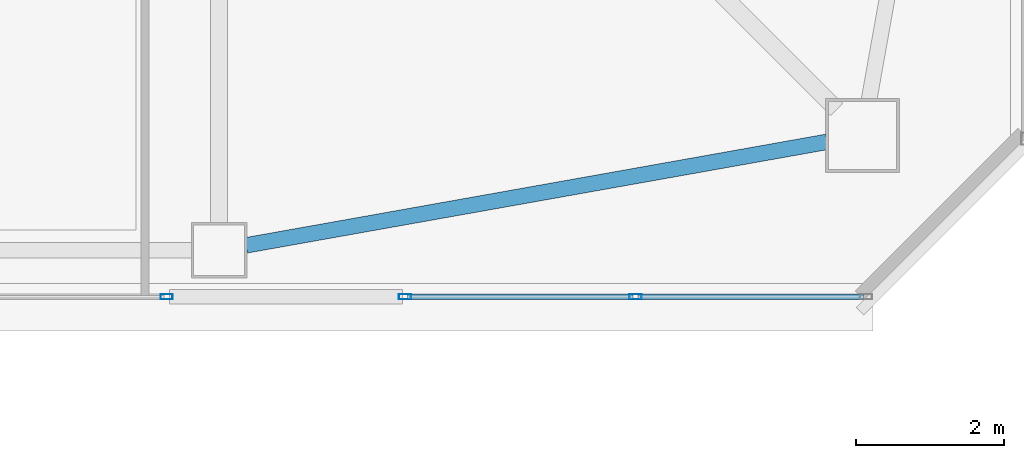
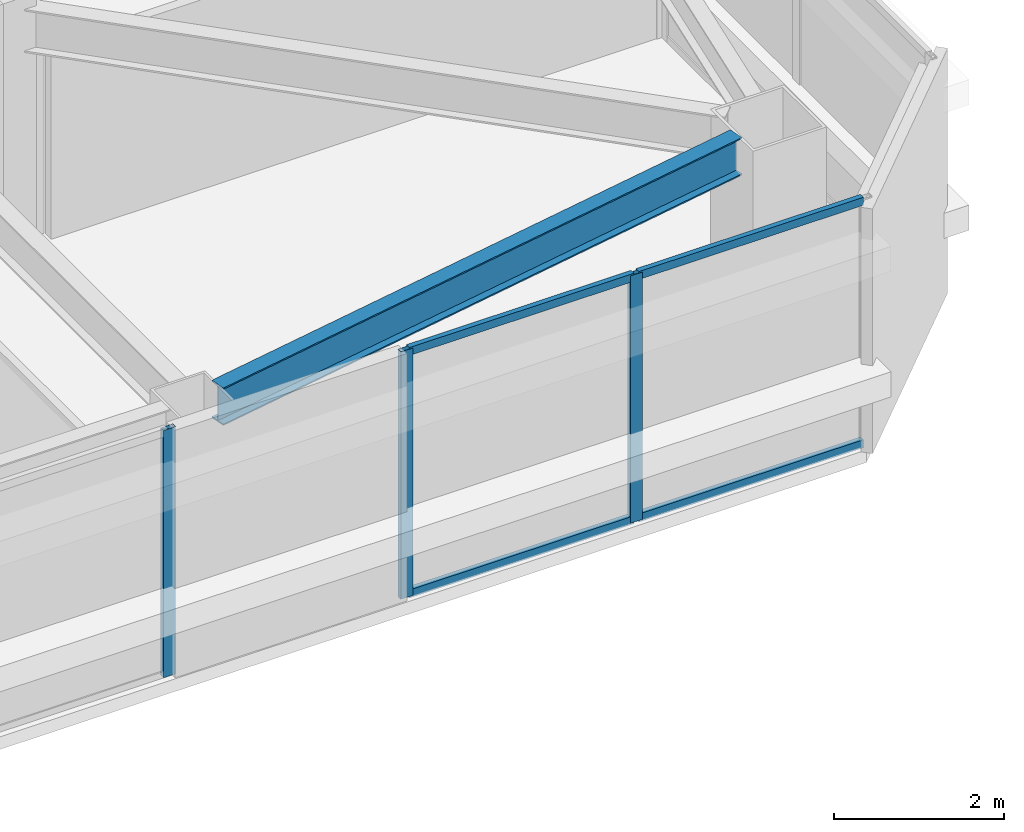
# One storey, part 5 of 39: 7 members, 1 beam, 2 elements without a shape of their own.
"""IFC4 building model written with IfcOpenShell, lengths in metres."""

from ifc_helpers import new_model, si_unit, direction, frame, origin, origin_2d, place, context, subcontext, project, spatial, hollow_rectangle, i_section, extrude, material, material_profile, profile_set, type_object, element, aggregate, save


model = new_model("IFC4")

# Units and contexts
model_context = context("Model", 3, precision=1e-05, world=origin(), true_north=direction((0.0, 1.0)))
body_context = subcontext(model_context, "Body", "Model", "MODEL_VIEW")
ifc_project = project(units=[si_unit("LENGTHUNIT", "METRE"), si_unit("AREAUNIT", "SQUARE_METRE"), si_unit("VOLUMEUNIT", "CUBIC_METRE"), si_unit("PLANEANGLEUNIT", "RADIAN"), si_unit("MASSUNIT", "GRAM", prefix="KILO")], contexts=[model_context])

# Site, building, storey
site_placement = place(None, origin())
site = spatial("IfcSite", under=ifc_project, at=site_placement, CompositionType="ELEMENT")
building_placement = place(site_placement, origin())
building = spatial("IfcBuilding", under=site, at=building_placement, Name="Tashvorn Skyway Center", CompositionType="ELEMENT")
storey_placement = place(building_placement, frame((0.0, 0.0, 214.85009765625)))
storey = spatial("IfcBuildingStorey", under=building, at=storey_placement, Name="L58", CompositionType="ELEMENT", Elevation=214.85009765625)

# Beam
ifc_material_1 = material(Name="Steel ASTM A992 Grade 50", Category="steel")
ifc_material_profile_1 = material_profile(ifc_material_1, i_section(OverallWidth=0.2109375, OverallDepth=0.5390625, WebThickness=0.01171875, FlangeThickness=0.018798828125, at=origin_2d()), Name="W21X73")
ifc_profile_set_1 = profile_set([ifc_material_profile_1], Name="Steel ASTM A992 Grade 50")
beam_type = type_object("IfcBeamType", Name="BM-SPANDREL-W21X73", PredefinedType="SPANDREL", material=ifc_profile_set_1)
beam_placement = place(storey_placement, frame((47.76416015625, 16.414794921875, 3.100341796875), z_axis=(0.984494883191, 0.17541329759, 0.0), x_axis=(-0.17541329759, 0.984494883191, 0.0)))
element("IfcBeam", 1, at=beam_placement, inside=storey, type_object=beam_type, Name="Tower 1 L58 Spandrel Beam 03", PredefinedType="SPANDREL", context=body_context, shape_type="SweptSolid", body=[
    extrude(i_section(OverallWidth=0.2109375, OverallDepth=0.5390625, WebThickness=0.01171875, FlangeThickness=0.018798828125, at=origin_2d()), origin(), (0.0, 0.0, 1.0), 7.97216796875),
])

# Curtain wall, members
ifc_material_2 = material(Name="Thermally broken bronze-anodized aluminium 6063-T6", Category="aluminium")
curtain_wall_type = type_object("IfcCurtainWallType", Name="CW-CW-Z5", PredefinedType="NOTDEFINED", material=ifc_material_2)
curtain_wall_1_placement = place(storey_placement, origin())
curtain_wall_1 = element("IfcCurtainWall", 2, at=curtain_wall_1_placement, inside=storey, type_object=curtain_wall_type, Name="Tower 1 L58 South Unitised Curtain Wall Glazing Group 1", PredefinedType="NOTDEFINED")
ifc_material_profile_2 = material_profile(ifc_material_2, hollow_rectangle(XDim=0.070068359375, YDim=0.1650390625, WallThickness=0.00390625, at=origin_2d()), Name="ALU-MULL-70x165")
ifc_profile_set_2 = profile_set([ifc_material_profile_2], Name="Thermally broken bronze-anodized aluminium 6063-T6")
member_type_1 = type_object("IfcMemberType", Name="CWM-CW-Z5", PredefinedType="MULLION", material=ifc_profile_set_2)
member_1_placement = place(storey_placement, frame((53.02880859375, 15.719970703125, 0.0), z_axis=(0.0, 0.0, 1.0), x_axis=(0.0, -1.0, 0.0)))
member_1 = element("IfcMember", 3, at=member_1_placement, type_object=member_type_1, Name="CW-Z5 mullion 2", PredefinedType="MULLION", context=body_context, shape_type="SweptSolid", body=[
    extrude(hollow_rectangle(XDim=0.070068359375, YDim=0.1650390625, WallThickness=0.00390625, at=origin_2d()), origin(), (0.0, 0.0, 1.0), 3.5498046875),
])
member_2_placement = place(storey_placement, frame((49.912841796875, 15.719970703125, 0.0), z_axis=(0.0, 0.0, 1.0), x_axis=(0.0, -1.0, 0.0)))
member_2 = element("IfcMember", 4, at=member_2_placement, type_object=member_type_1, Name="CW-Z5 mullion 3", PredefinedType="MULLION", context=body_context, shape_type="SweptSolid", body=[
    extrude(hollow_rectangle(XDim=0.070068359375, YDim=0.1650390625, WallThickness=0.00390625, at=origin_2d()), origin(), (0.0, 0.0, 1.0), 3.5498046875),
])

# Curtain wall, member
curtain_wall_2_placement = place(storey_placement, origin())
curtain_wall_2 = element("IfcCurtainWall", 5, at=curtain_wall_2_placement, inside=storey, type_object=curtain_wall_type, Name="Tower 1 L58 South Unitised Curtain Wall Glazing Group 2", PredefinedType="NOTDEFINED")
member_3_placement = place(storey_placement, frame((46.691650390625, 15.719970703125, 0.0), z_axis=(0.0, 0.0, 1.0), x_axis=(0.0, -1.0, 0.0)))
member_3 = element("IfcMember", 6, at=member_3_placement, type_object=member_type_1, Name="CW-Z5 mullion 1", PredefinedType="MULLION", context=body_context, shape_type="SweptSolid", body=[
    extrude(hollow_rectangle(XDim=0.070068359375, YDim=0.1650390625, WallThickness=0.00390625, at=origin_2d()), origin(), (0.0, 0.0, 1.0), 3.5498046875),
])
aggregate(curtain_wall_2, [member_3])

# Member
ifc_material_profile_3 = material_profile(ifc_material_2, hollow_rectangle(XDim=0.070068359375, YDim=0.114990234375, WallThickness=0.00390625, at=origin_2d()), Name="ALU-TRAN-70x115")
ifc_profile_set_3 = profile_set([ifc_material_profile_3], Name="Thermally broken bronze-anodized aluminium 6063-T6")
member_type_2 = type_object("IfcMemberType", Name="CWT-CW-Z5", PredefinedType="USERDEFINED", material=ifc_profile_set_3)
member_4_placement = place(storey_placement, frame((56.110107421875, 15.719970703125, 0.034912109375), z_axis=(-1.0, 0.0, 0.0), x_axis=(0.0, -1.0, 0.0)))
member_4 = element("IfcMember", 7, at=member_4_placement, type_object=member_type_2, Name="CW-Z5 transom 1.1", ObjectType="TRANSOM", PredefinedType="USERDEFINED", context=body_context, shape_type="SweptSolid", body=[
    extrude(hollow_rectangle(XDim=0.070068359375, YDim=0.114990234375, WallThickness=0.00390625, at=origin_2d()), origin(), (0.0, 0.0, 1.0), 3.046142578125),
])

member_5_placement = place(storey_placement, frame((56.110107421875, 15.719970703125, 3.514892578125), z_axis=(-1.0, 0.0, 0.0), x_axis=(0.0, -1.0, 0.0)))
member_5 = element("IfcMember", 8, at=member_5_placement, type_object=member_type_2, Name="CW-Z5 transom 1.2", ObjectType="TRANSOM", PredefinedType="USERDEFINED", context=body_context, shape_type="SweptSolid", body=[
    extrude(hollow_rectangle(XDim=0.070068359375, YDim=0.114990234375, WallThickness=0.00390625, at=origin_2d()), origin(), (0.0, 0.0, 1.0), 3.046142578125),
])

member_6_placement = place(storey_placement, frame((52.993896484375, 15.719970703125, 0.034912109375), z_axis=(-1.0, 0.0, 0.0), x_axis=(0.0, -1.0, 0.0)))
member_6 = element("IfcMember", 9, at=member_6_placement, type_object=member_type_2, Name="CW-Z5 transom 2.1", ObjectType="TRANSOM", PredefinedType="USERDEFINED", context=body_context, shape_type="SweptSolid", body=[
    extrude(hollow_rectangle(XDim=0.070068359375, YDim=0.114990234375, WallThickness=0.00390625, at=origin_2d()), origin(), (0.0, 0.0, 1.0), 3.046142578125),
])

member_7_placement = place(storey_placement, frame((52.993896484375, 15.719970703125, 3.514892578125), z_axis=(-1.0, 0.0, 0.0), x_axis=(0.0, -1.0, 0.0)))
member_7 = element("IfcMember", 10, at=member_7_placement, type_object=member_type_2, Name="CW-Z5 transom 2.2", ObjectType="TRANSOM", PredefinedType="USERDEFINED", context=body_context, shape_type="SweptSolid", body=[
    extrude(hollow_rectangle(XDim=0.070068359375, YDim=0.114990234375, WallThickness=0.00390625, at=origin_2d()), origin(), (0.0, 0.0, 1.0), 3.046142578125),
])

aggregate(curtain_wall_1, [member_1, member_2, member_4, member_5, member_6, member_7])

save(model, "model.ifc")
